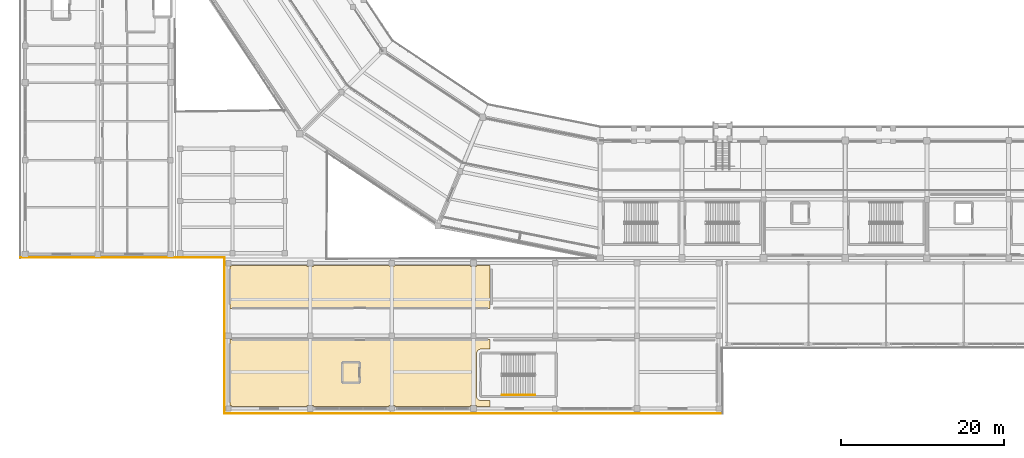
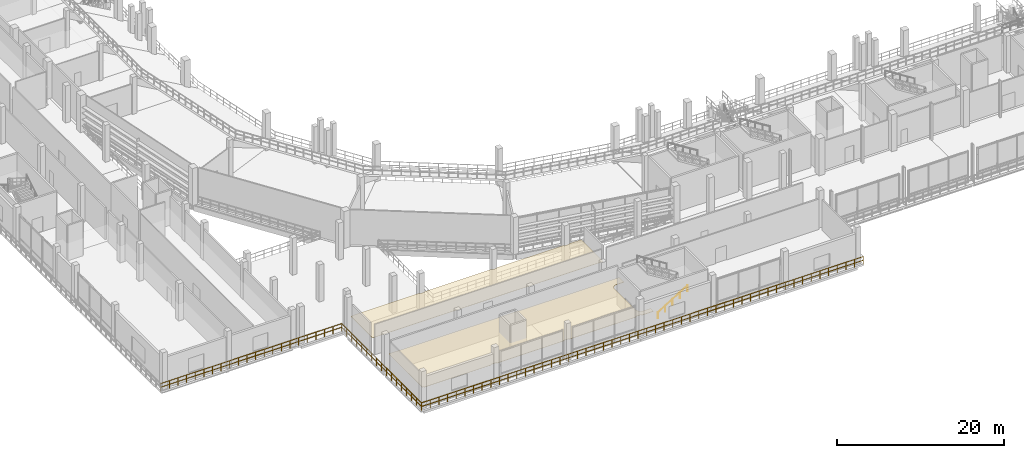
# One storey, part 94 of 127: 4 railings, 2 coverings.
"""IFC4 building model written with IfcOpenShell, lengths in metres."""

from ifc_helpers import new_model, si_unit, direction, frame, origin, origin_2d, place, context, subcontext, project, spatial, polyline, circle, outline, extrude, material, layer, layer_set, type_object, element, save


model = new_model("IFC4")

# Units and contexts
model_context = context("Model", 3, precision=1e-05, world=origin(), true_north=direction((0.0, 1.0)))
body_context = subcontext(model_context, "Body", "Model", "MODEL_VIEW")
ifc_project = project(units=[si_unit("LENGTHUNIT", "METRE"), si_unit("AREAUNIT", "SQUARE_METRE"), si_unit("VOLUMEUNIT", "CUBIC_METRE"), si_unit("PLANEANGLEUNIT", "RADIAN"), si_unit("MASSUNIT", "GRAM", prefix="KILO")], contexts=[model_context])

# Site, building, storey
site_placement = place(None, origin())
site = spatial("IfcSite", under=ifc_project, at=site_placement, CompositionType="ELEMENT")
building_placement = place(site_placement, origin())
building = spatial("IfcBuilding", under=site, at=building_placement, Name="Candeia Ridge Stadium", CompositionType="ELEMENT")
storey_placement = place(building_placement, frame((0.0, 0.0, 10.800048828125)))
storey = spatial("IfcBuildingStorey", under=building, at=storey_placement, Name="L02", CompositionType="ELEMENT", Elevation=10.800048828125)

# Coverings
ifc_material_1 = material(Name="Western Red Cedar Acoustic Slat", Category="wood")
ifc_layer_1 = layer(ifc_material_1, 0.044921875, Name="Western Red Cedar Acoustic Slat", Category="wood")
ifc_layer_set_1 = layer_set([ifc_layer_1], Name="Western Red Cedar Acoustic Slat")
covering_type = type_object("IfcCoveringType", Name="Slatted Cedar Acoustic Ceiling 45", PredefinedType="CEILING", material=ifc_layer_set_1)
covering_1_placement = place(storey_placement, frame((0.0, 0.0, 2.510009765625)))
element("IfcCovering", 1, at=covering_1_placement, inside=storey, type_object=covering_type, Name="Acoustic ceiling South Club Terrace Lounge", PredefinedType="CEILING", context=body_context, shape_type="SweptSolid", body=[
    extrude(outline(polyline([(57.529296875, 0.89404296875), (57.52880859375, 0.891357421875), (57.527587890625, 0.888427734375), (57.526611328125, 0.885986328125), (57.52490234375, 0.88330078125), (57.523193359375, 0.881103515625), (57.521240234375, 0.87890625), (57.51904296875, 0.876708984375), (57.5166015625, 0.875), (57.51416015625, 0.87353515625), (57.511474609375, 0.872314453125), (57.5087890625, 0.871337890625), (57.505859375, 0.87060546875), (57.5029296875, 0.8701171875), (57.5, 0.8701171875), (55.889892578125, 0.8701171875), (55.889892578125, 0.989990234375), (55.110107421875, 0.989990234375), (55.110107421875, 0.8701171875), (45.864990234375, 0.8701171875), (45.864990234375, 0.965087890625), (45.135009765625, 0.965087890625), (45.135009765625, 0.8701171875), (35.889892578125, 0.8701171875), (35.889892578125, 0.989990234375), (35.110107421875, 0.989990234375), (35.110107421875, 0.8701171875), (25.864990234375, 0.8701171875), (25.864990234375, 0.965087890625), (25.669921875, 0.965087890625), (25.669921875, 9.0), (25.670166015625, 9.0029296875), (25.670654296875, 9.005859375), (25.67138671875, 9.0087890625), (25.67236328125, 9.011474609375), (25.673583984375, 9.01416015625), (25.675048828125, 9.0166015625), (25.6767578125, 9.01904296875), (25.6787109375, 9.021240234375), (25.680908203125, 9.023193359375), (25.683349609375, 9.02490234375), (25.685791015625, 9.026611328125), (25.6884765625, 9.027587890625), (25.69140625, 9.02880859375), (25.694091796875, 9.029296875), (25.697021484375, 9.02978515625), (25.699951171875, 9.030029296875), (57.5, 9.030029296875), (57.5029296875, 9.02978515625), (57.505859375, 9.029296875), (57.5087890625, 9.02880859375), (57.511474609375, 9.027587890625), (57.51416015625, 9.026611328125), (57.5166015625, 9.02490234375), (57.51904296875, 9.023193359375), (57.521240234375, 9.021240234375), (57.523193359375, 9.01904296875), (57.52490234375, 9.0166015625), (57.526611328125, 9.01416015625), (57.527587890625, 9.011474609375), (57.52880859375, 9.0087890625), (57.529296875, 9.005859375), (57.52978515625, 9.0029296875), (57.530029296875, 9.0), (57.530029296875, 7.89990234375), (56.5, 7.89990234375), (56.48291015625, 7.899658203125), (56.453369140625, 7.898193359375), (56.419189453125, 7.894775390625), (56.39013671875, 7.890380859375), (56.3564453125, 7.8837890625), (56.327880859375, 7.876708984375), (56.294921875, 7.86669921875), (56.267333984375, 7.856689453125), (56.235595703125, 7.843505859375), (56.208984375, 7.8310546875), (56.1787109375, 7.814697265625), (56.1533203125, 7.799560546875), (56.124755859375, 7.780517578125), (56.101318359375, 7.762939453125), (56.07470703125, 7.7412109375), (56.052734375, 7.721435546875), (56.028564453125, 7.697265625), (56.0087890625, 7.67529296875), (55.987060546875, 7.648681640625), (55.969482421875, 7.625244140625), (55.950439453125, 7.5966796875), (55.935302734375, 7.5712890625), (55.9189453125, 7.541015625), (55.906494140625, 7.514404296875), (55.893310546875, 7.482666015625), (55.88330078125, 7.455078125), (55.873291015625, 7.422119140625), (55.8662109375, 7.3935546875), (55.859619140625, 7.35986328125), (55.855224609375, 7.330810546875), (55.851806640625, 7.296630859375), (55.850341796875, 7.26708984375), (55.85009765625, 7.25), (55.85009765625, 2.199951171875), (55.850341796875, 2.182861328125), (55.851806640625, 2.1533203125), (55.855224609375, 2.119140625), (55.859619140625, 2.090087890625), (55.8662109375, 2.056396484375), (55.873291015625, 2.02783203125), (55.88330078125, 1.9951171875), (55.893310546875, 1.96728515625), (55.906494140625, 1.935546875), (55.9189453125, 1.908935546875), (55.935302734375, 1.878662109375), (55.950439453125, 1.853515625), (55.969482421875, 1.82470703125), (55.987060546875, 1.80126953125), (56.0087890625, 1.774658203125), (56.028564453125, 1.752685546875), (56.052734375, 1.728515625), (56.07470703125, 1.708740234375), (56.101318359375, 1.68701171875), (56.124755859375, 1.66943359375), (56.1533203125, 1.650390625), (56.1787109375, 1.63525390625), (56.208984375, 1.618896484375), (56.235595703125, 1.6064453125), (56.267333984375, 1.59326171875), (56.294921875, 1.58349609375), (56.327880859375, 1.573486328125), (56.3564453125, 1.56640625), (56.39013671875, 1.5595703125), (56.419189453125, 1.55517578125), (56.453369140625, 1.552001953125), (56.48291015625, 1.55029296875), (56.5, 1.550048828125), (57.530029296875, 1.550048828125), (57.530029296875, 0.89990234375), (57.52978515625, 0.897216796875), (57.529296875, 0.89404296875)])), origin(), (0.0, 0.0, 1.0), 0.0400390625),
])
covering_2_placement = place(storey_placement, frame((0.0, 0.0, 2.510009765625)))
element("IfcCovering", 2, at=covering_2_placement, inside=storey, type_object=covering_type, Name="Acoustic ceiling South Club Terrace Lounge North Hall", PredefinedType="CEILING", context=body_context, shape_type="SweptSolid", body=[
    extrude(outline(polyline([(25.694091796875, 12.87060546875), (25.69140625, 12.871337890625), (25.6884765625, 12.872314453125), (25.685791015625, 12.87353515625), (25.683349609375, 12.875), (25.680908203125, 12.876708984375), (25.6787109375, 12.87890625), (25.6767578125, 12.881103515625), (25.675048828125, 12.88330078125), (25.673583984375, 12.885986328125), (25.67236328125, 12.888427734375), (25.67138671875, 12.891357421875), (25.670654296875, 12.89404296875), (25.670166015625, 12.897216796875), (25.669921875, 12.89990234375), (25.669921875, 18.034912109375), (25.864990234375, 18.034912109375), (25.864990234375, 18.1298828125), (35.110107421875, 18.1298828125), (35.110107421875, 18.010009765625), (35.889892578125, 18.010009765625), (35.889892578125, 18.1298828125), (45.135009765625, 18.1298828125), (45.135009765625, 18.034912109375), (45.864990234375, 18.034912109375), (45.864990234375, 18.1298828125), (55.110107421875, 18.1298828125), (55.110107421875, 18.010009765625), (55.889892578125, 18.010009765625), (55.889892578125, 18.1298828125), (57.5, 18.1298828125), (57.5029296875, 18.1298828125), (57.505859375, 18.12939453125), (57.5087890625, 18.128662109375), (57.511474609375, 18.127685546875), (57.51416015625, 18.12646484375), (57.5166015625, 18.125), (57.51904296875, 18.123291015625), (57.521240234375, 18.12109375), (57.523193359375, 18.118896484375), (57.52490234375, 18.11669921875), (57.526611328125, 18.114013671875), (57.527587890625, 18.111572265625), (57.52880859375, 18.108642578125), (57.529296875, 18.10595703125), (57.52978515625, 18.102783203125), (57.530029296875, 18.10009765625), (57.530029296875, 12.89990234375), (57.52978515625, 12.897216796875), (57.529296875, 12.89404296875), (57.52880859375, 12.891357421875), (57.527587890625, 12.888427734375), (57.526611328125, 12.885986328125), (57.52490234375, 12.88330078125), (57.523193359375, 12.881103515625), (57.521240234375, 12.87890625), (57.51904296875, 12.876708984375), (57.5166015625, 12.875), (57.51416015625, 12.87353515625), (57.511474609375, 12.872314453125), (57.5087890625, 12.871337890625), (57.505859375, 12.87060546875), (57.5029296875, 12.8701171875), (57.5, 12.8701171875), (25.699951171875, 12.8701171875), (25.697021484375, 12.8701171875), (25.694091796875, 12.87060546875)])), origin(), (0.0, 0.0, 1.0), 0.0400390625),
])

# Railings
ifc_material_2 = material(Name="Galvanized Powder-Coated Steel", Category="steel")
ifc_layer_2 = layer(ifc_material_2, 0.074951171875, Name="Galvanized Powder-Coated Steel", Category="steel")
ifc_layer_set_2 = layer_set([ifc_layer_2], Name="Galvanized Powder-Coated Steel")
railing_type_1 = type_object("IfcRailingType", Name="Spectator Bowl Front Guardrail 1120", PredefinedType="GUARDRAIL", material=ifc_layer_set_2)
railing_1_placement = place(storey_placement, frame((86.0, 0.0, 0.0)))
element("IfcRailing", 3, at=railing_1_placement, inside=storey, type_object=railing_type_1, Name="Deck edge safety guardrail GR-DE-L02-0070", PredefinedType="GUARDRAIL", context=body_context, shape_type="SweptSolid", body=[
    extrude(circle(Radius=0.02392578125, at=origin_2d()), frame((0.0, 0.0, 1.09619140625), z_axis=(-1.0, 0.0, 0.0), x_axis=(0.0, -1.0, 0.0)), (0.0, 0.0, 1.0), 61.0),
    extrude(circle(Radius=0.02392578125, at=origin_2d()), frame((0.0, 0.0, 0.56005859375), z_axis=(-1.0, 0.0, 0.0), x_axis=(0.0, -1.0, 0.0)), (0.0, 0.0, 1.0), 61.0),
    extrude(circle(Radius=0.02099609375, at=origin_2d()), origin(), (0.0, 0.0, 1.0), 1.072021484375),
    extrude(circle(Radius=0.02099609375, at=origin_2d()), frame((-1.196044921875, 0.0, 0.0)), (0.0, 0.0, 1.0), 1.072021484375),
    extrude(circle(Radius=0.02099609375, at=origin_2d()), frame((-2.39208984375, 0.0, 0.0)), (0.0, 0.0, 1.0), 1.072021484375),
    extrude(circle(Radius=0.02099609375, at=origin_2d()), frame((-3.588134765625, 0.0, 0.0)), (0.0, 0.0, 1.0), 1.072021484375),
    extrude(circle(Radius=0.02099609375, at=origin_2d()), frame((-4.784423828125, 0.0, 0.0)), (0.0, 0.0, 1.0), 1.072021484375),
    extrude(circle(Radius=0.02099609375, at=origin_2d()), frame((-5.98046875, 0.0, 0.0)), (0.0, 0.0, 1.0), 1.072021484375),
    extrude(circle(Radius=0.02099609375, at=origin_2d()), frame((-7.176513671875, 0.0, 0.0)), (0.0, 0.0, 1.0), 1.072021484375),
    extrude(circle(Radius=0.02099609375, at=origin_2d()), frame((-8.37255859375, 0.0, 0.0)), (0.0, 0.0, 1.0), 1.072021484375),
    extrude(circle(Radius=0.02099609375, at=origin_2d()), frame((-9.568603515625, 0.0, 0.0)), (0.0, 0.0, 1.0), 1.072021484375),
    extrude(circle(Radius=0.02099609375, at=origin_2d()), frame((-10.7646484375, 0.0, 0.0)), (0.0, 0.0, 1.0), 1.072021484375),
    extrude(circle(Radius=0.02099609375, at=origin_2d()), frame((-11.960693359375, 0.0, 0.0)), (0.0, 0.0, 1.0), 1.072021484375),
    extrude(circle(Radius=0.02099609375, at=origin_2d()), frame((-13.156982421875, 0.0, 0.0)), (0.0, 0.0, 1.0), 1.072021484375),
    extrude(circle(Radius=0.02099609375, at=origin_2d()), frame((-14.35302734375, 0.0, 0.0)), (0.0, 0.0, 1.0), 1.072021484375),
    extrude(circle(Radius=0.02099609375, at=origin_2d()), frame((-15.549072265625, 0.0, 0.0)), (0.0, 0.0, 1.0), 1.072021484375),
    extrude(circle(Radius=0.02099609375, at=origin_2d()), frame((-16.7451171875, 0.0, 0.0)), (0.0, 0.0, 1.0), 1.072021484375),
    extrude(circle(Radius=0.02099609375, at=origin_2d()), frame((-17.941162109375, 0.0, 0.0)), (0.0, 0.0, 1.0), 1.072021484375),
    extrude(circle(Radius=0.02099609375, at=origin_2d()), frame((-19.13720703125, 0.0, 0.0)), (0.0, 0.0, 1.0), 1.072021484375),
    extrude(circle(Radius=0.02099609375, at=origin_2d()), frame((-20.333251953125, 0.0, 0.0)), (0.0, 0.0, 1.0), 1.072021484375),
    extrude(circle(Radius=0.02099609375, at=origin_2d()), frame((-21.529296875, 0.0, 0.0)), (0.0, 0.0, 1.0), 1.072021484375),
    extrude(circle(Radius=0.02099609375, at=origin_2d()), frame((-22.7255859375, 0.0, 0.0)), (0.0, 0.0, 1.0), 1.072021484375),
    extrude(circle(Radius=0.02099609375, at=origin_2d()), frame((-23.921630859375, 0.0, 0.0)), (0.0, 0.0, 1.0), 1.072021484375),
    extrude(circle(Radius=0.02099609375, at=origin_2d()), frame((-25.11767578125, 0.0, 0.0)), (0.0, 0.0, 1.0), 1.072021484375),
    extrude(circle(Radius=0.02099609375, at=origin_2d()), frame((-26.313720703125, 0.0, 0.0)), (0.0, 0.0, 1.0), 1.072021484375),
    extrude(circle(Radius=0.02099609375, at=origin_2d()), frame((-27.509765625, 0.0, 0.0)), (0.0, 0.0, 1.0), 1.072021484375),
    extrude(circle(Radius=0.02099609375, at=origin_2d()), frame((-28.705810546875, 0.0, 0.0)), (0.0, 0.0, 1.0), 1.072021484375),
    extrude(circle(Radius=0.02099609375, at=origin_2d()), frame((-29.90185546875, 0.0, 0.0)), (0.0, 0.0, 1.0), 1.072021484375),
    extrude(circle(Radius=0.02099609375, at=origin_2d()), frame((-31.09814453125, 0.0, 0.0)), (0.0, 0.0, 1.0), 1.072021484375),
    extrude(circle(Radius=0.02099609375, at=origin_2d()), frame((-32.294189453125, 0.0, 0.0)), (0.0, 0.0, 1.0), 1.072021484375),
    extrude(circle(Radius=0.02099609375, at=origin_2d()), frame((-33.490234375, 0.0, 0.0)), (0.0, 0.0, 1.0), 1.072021484375),
    extrude(circle(Radius=0.02099609375, at=origin_2d()), frame((-34.686279296875, 0.0, 0.0)), (0.0, 0.0, 1.0), 1.072021484375),
    extrude(circle(Radius=0.02099609375, at=origin_2d()), frame((-35.88232421875, 0.0, 0.0)), (0.0, 0.0, 1.0), 1.072021484375),
    extrude(circle(Radius=0.02099609375, at=origin_2d()), frame((-37.078369140625, 0.0, 0.0)), (0.0, 0.0, 1.0), 1.072021484375),
    extrude(circle(Radius=0.02099609375, at=origin_2d()), frame((-38.2744140625, 0.0, 0.0)), (0.0, 0.0, 1.0), 1.072021484375),
    extrude(circle(Radius=0.02099609375, at=origin_2d()), frame((-39.470703125, 0.0, 0.0)), (0.0, 0.0, 1.0), 1.072021484375),
    extrude(circle(Radius=0.02099609375, at=origin_2d()), frame((-40.666748046875, 0.0, 0.0)), (0.0, 0.0, 1.0), 1.072021484375),
    extrude(circle(Radius=0.02099609375, at=origin_2d()), frame((-41.86279296875, 0.0, 0.0)), (0.0, 0.0, 1.0), 1.072021484375),
    extrude(circle(Radius=0.02099609375, at=origin_2d()), frame((-43.058837890625, 0.0, 0.0)), (0.0, 0.0, 1.0), 1.072021484375),
    extrude(circle(Radius=0.02099609375, at=origin_2d()), frame((-44.2548828125, 0.0, 0.0)), (0.0, 0.0, 1.0), 1.072021484375),
    extrude(circle(Radius=0.02099609375, at=origin_2d()), frame((-45.450927734375, 0.0, 0.0)), (0.0, 0.0, 1.0), 1.072021484375),
    extrude(circle(Radius=0.02099609375, at=origin_2d()), frame((-46.64697265625, 0.0, 0.0)), (0.0, 0.0, 1.0), 1.072021484375),
    extrude(circle(Radius=0.02099609375, at=origin_2d()), frame((-47.843017578125, 0.0, 0.0)), (0.0, 0.0, 1.0), 1.072021484375),
    extrude(circle(Radius=0.02099609375, at=origin_2d()), frame((-49.039306640625, 0.0, 0.0)), (0.0, 0.0, 1.0), 1.072021484375),
    extrude(circle(Radius=0.02099609375, at=origin_2d()), frame((-50.2353515625, 0.0, 0.0)), (0.0, 0.0, 1.0), 1.072021484375),
    extrude(circle(Radius=0.02099609375, at=origin_2d()), frame((-51.431396484375, 0.0, 0.0)), (0.0, 0.0, 1.0), 1.072021484375),
    extrude(circle(Radius=0.02099609375, at=origin_2d()), frame((-52.62744140625, 0.0, 0.0)), (0.0, 0.0, 1.0), 1.072021484375),
    extrude(circle(Radius=0.02099609375, at=origin_2d()), frame((-53.823486328125, 0.0, 0.0)), (0.0, 0.0, 1.0), 1.072021484375),
    extrude(circle(Radius=0.02099609375, at=origin_2d()), frame((-55.01953125, 0.0, 0.0)), (0.0, 0.0, 1.0), 1.072021484375),
    extrude(circle(Radius=0.02099609375, at=origin_2d()), frame((-56.215576171875, 0.0, 0.0)), (0.0, 0.0, 1.0), 1.072021484375),
    extrude(circle(Radius=0.02099609375, at=origin_2d()), frame((-57.411865234375, 0.0, 0.0)), (0.0, 0.0, 1.0), 1.072021484375),
    extrude(circle(Radius=0.02099609375, at=origin_2d()), frame((-58.60791015625, 0.0, 0.0)), (0.0, 0.0, 1.0), 1.072021484375),
    extrude(circle(Radius=0.02099609375, at=origin_2d()), frame((-59.803955078125, 0.0, 0.0)), (0.0, 0.0, 1.0), 1.072021484375),
    extrude(circle(Radius=0.02099609375, at=origin_2d()), frame((-61.0, 0.0, 0.0)), (0.0, 0.0, 1.0), 1.072021484375),
])
railing_2_placement = place(storey_placement, frame((25.0, 0.0, 0.0)))
element("IfcRailing", 4, at=railing_2_placement, inside=storey, type_object=railing_type_1, Name="Deck edge safety guardrail GR-DE-L02-0071", PredefinedType="GUARDRAIL", context=body_context, shape_type="SweptSolid", body=[
    extrude(circle(Radius=0.02392578125, at=origin_2d()), frame((0.0, 0.0, 1.09619140625), z_axis=(0.0, 1.0, 0.0), x_axis=(-1.0, 0.0, 0.0)), (0.0, 0.0, 1.0), 19.080078125),
    extrude(circle(Radius=0.02392578125, at=origin_2d()), frame((0.0, 0.0, 0.56005859375), z_axis=(0.0, 1.0, 0.0), x_axis=(-1.0, 0.0, 0.0)), (0.0, 0.0, 1.0), 19.080078125),
    extrude(circle(Radius=0.02099609375, at=origin_2d()), origin(), (0.0, 0.0, 1.0), 1.072021484375),
    extrude(circle(Radius=0.02099609375, at=origin_2d()), frame((0.0, 1.1923828125, 0.0)), (0.0, 0.0, 1.0), 1.072021484375),
    extrude(circle(Radius=0.02099609375, at=origin_2d()), frame((0.0, 2.385009765625, 0.0)), (0.0, 0.0, 1.0), 1.072021484375),
    extrude(circle(Radius=0.02099609375, at=origin_2d()), frame((0.0, 3.57763671875, 0.0)), (0.0, 0.0, 1.0), 1.072021484375),
    extrude(circle(Radius=0.02099609375, at=origin_2d()), frame((0.0, 4.77001953125, 0.0)), (0.0, 0.0, 1.0), 1.072021484375),
    extrude(circle(Radius=0.02099609375, at=origin_2d()), frame((0.0, 5.96240234375, 0.0)), (0.0, 0.0, 1.0), 1.072021484375),
    extrude(circle(Radius=0.02099609375, at=origin_2d()), frame((0.0, 7.155029296875, 0.0)), (0.0, 0.0, 1.0), 1.072021484375),
    extrude(circle(Radius=0.02099609375, at=origin_2d()), frame((0.0, 8.34765625, 0.0)), (0.0, 0.0, 1.0), 1.072021484375),
    extrude(circle(Radius=0.02099609375, at=origin_2d()), frame((0.0, 9.5400390625, 0.0)), (0.0, 0.0, 1.0), 1.072021484375),
    extrude(circle(Radius=0.02099609375, at=origin_2d()), frame((0.0, 10.732421875, 0.0)), (0.0, 0.0, 1.0), 1.072021484375),
    extrude(circle(Radius=0.02099609375, at=origin_2d()), frame((0.0, 11.925048828125, 0.0)), (0.0, 0.0, 1.0), 1.072021484375),
    extrude(circle(Radius=0.02099609375, at=origin_2d()), frame((0.0, 13.11767578125, 0.0)), (0.0, 0.0, 1.0), 1.072021484375),
    extrude(circle(Radius=0.02099609375, at=origin_2d()), frame((0.0, 14.31005859375, 0.0)), (0.0, 0.0, 1.0), 1.072021484375),
    extrude(circle(Radius=0.02099609375, at=origin_2d()), frame((0.0, 15.50244140625, 0.0)), (0.0, 0.0, 1.0), 1.072021484375),
    extrude(circle(Radius=0.02099609375, at=origin_2d()), frame((0.0, 16.695068359375, 0.0)), (0.0, 0.0, 1.0), 1.072021484375),
    extrude(circle(Radius=0.02099609375, at=origin_2d()), frame((0.0, 17.8876953125, 0.0)), (0.0, 0.0, 1.0), 1.072021484375),
    extrude(circle(Radius=0.02099609375, at=origin_2d()), frame((0.0, 19.080078125, 0.0)), (0.0, 0.0, 1.0), 1.072021484375),
])
railing_3_placement = place(storey_placement, frame((25.0, 19.080078125, 0.0)))
element("IfcRailing", 5, at=railing_3_placement, inside=storey, type_object=railing_type_1, Name="Deck edge safety guardrail GR-DE-L02-0072", PredefinedType="GUARDRAIL", context=body_context, shape_type="SweptSolid", body=[
    extrude(circle(Radius=0.02392578125, at=origin_2d()), frame((0.0, 0.0, 1.09619140625), z_axis=(-1.0, 0.0, 0.0), x_axis=(0.0, -1.0, 0.0)), (0.0, 0.0, 1.0), 25.0),
    extrude(circle(Radius=0.02392578125, at=origin_2d()), frame((0.0, 0.0, 0.56005859375), z_axis=(-1.0, 0.0, 0.0), x_axis=(0.0, -1.0, 0.0)), (0.0, 0.0, 1.0), 25.0),
    extrude(circle(Radius=0.02099609375, at=origin_2d()), origin(), (0.0, 0.0, 1.0), 1.072021484375),
    extrude(circle(Radius=0.02099609375, at=origin_2d()), frame((-1.1904296875, 0.0, 0.0)), (0.0, 0.0, 1.0), 1.072021484375),
    extrude(circle(Radius=0.02099609375, at=origin_2d()), frame((-2.380859375, 0.0, 0.0)), (0.0, 0.0, 1.0), 1.072021484375),
    extrude(circle(Radius=0.02099609375, at=origin_2d()), frame((-3.571533203125, 0.0, 0.0)), (0.0, 0.0, 1.0), 1.072021484375),
    extrude(circle(Radius=0.02099609375, at=origin_2d()), frame((-4.761962890625, 0.0, 0.0)), (0.0, 0.0, 1.0), 1.072021484375),
    extrude(circle(Radius=0.02099609375, at=origin_2d()), frame((-5.952392578125, 0.0, 0.0)), (0.0, 0.0, 1.0), 1.072021484375),
    extrude(circle(Radius=0.02099609375, at=origin_2d()), frame((-7.142822265625, 0.0, 0.0)), (0.0, 0.0, 1.0), 1.072021484375),
    extrude(circle(Radius=0.02099609375, at=origin_2d()), frame((-8.333251953125, 0.0, 0.0)), (0.0, 0.0, 1.0), 1.072021484375),
    extrude(circle(Radius=0.02099609375, at=origin_2d()), frame((-9.52392578125, 0.0, 0.0)), (0.0, 0.0, 1.0), 1.072021484375),
    extrude(circle(Radius=0.02099609375, at=origin_2d()), frame((-10.71435546875, 0.0, 0.0)), (0.0, 0.0, 1.0), 1.072021484375),
    extrude(circle(Radius=0.02099609375, at=origin_2d()), frame((-11.90478515625, 0.0, 0.0)), (0.0, 0.0, 1.0), 1.072021484375),
    extrude(circle(Radius=0.02099609375, at=origin_2d()), frame((-13.09521484375, 0.0, 0.0)), (0.0, 0.0, 1.0), 1.072021484375),
    extrude(circle(Radius=0.02099609375, at=origin_2d()), frame((-14.28564453125, 0.0, 0.0)), (0.0, 0.0, 1.0), 1.072021484375),
    extrude(circle(Radius=0.02099609375, at=origin_2d()), frame((-15.47607421875, 0.0, 0.0)), (0.0, 0.0, 1.0), 1.072021484375),
    extrude(circle(Radius=0.02099609375, at=origin_2d()), frame((-16.666748046875, 0.0, 0.0)), (0.0, 0.0, 1.0), 1.072021484375),
    extrude(circle(Radius=0.02099609375, at=origin_2d()), frame((-17.857177734375, 0.0, 0.0)), (0.0, 0.0, 1.0), 1.072021484375),
    extrude(circle(Radius=0.02099609375, at=origin_2d()), frame((-19.047607421875, 0.0, 0.0)), (0.0, 0.0, 1.0), 1.072021484375),
    extrude(circle(Radius=0.02099609375, at=origin_2d()), frame((-20.238037109375, 0.0, 0.0)), (0.0, 0.0, 1.0), 1.072021484375),
    extrude(circle(Radius=0.02099609375, at=origin_2d()), frame((-21.428466796875, 0.0, 0.0)), (0.0, 0.0, 1.0), 1.072021484375),
    extrude(circle(Radius=0.02099609375, at=origin_2d()), frame((-22.619140625, 0.0, 0.0)), (0.0, 0.0, 1.0), 1.072021484375),
    extrude(circle(Radius=0.02099609375, at=origin_2d()), frame((-23.8095703125, 0.0, 0.0)), (0.0, 0.0, 1.0), 1.072021484375),
    extrude(circle(Radius=0.02099609375, at=origin_2d()), frame((-25.0, 0.0, 0.0)), (0.0, 0.0, 1.0), 1.072021484375),
])
ifc_material_3 = material(Name="Brushed Stainless Steel", Category="steel")
ifc_layer_3 = layer(ifc_material_3, 0.048095703125, Name="Brushed Stainless Steel", Category="steel")
ifc_layer_set_3 = layer_set([ifc_layer_3], Name="Brushed Stainless Steel")
railing_type_2 = type_object("IfcRailingType", Name="Stair Wall & Flight Handrail 900", PredefinedType="HANDRAIL", material=ifc_layer_set_3)
railing_4_placement = place(storey_placement, frame((58.949951171875, 2.25, 0.179931640625)))
element("IfcRailing", 6, at=railing_4_placement, inside=storey, type_object=railing_type_2, Name="L02 ST13 stair handrail 1", PredefinedType="HANDRAIL", context=body_context, shape_type="SweptSolid", body=[
    extrude(circle(Radius=0.02392578125, at=origin_2d()), frame((0.0, 0.0, 0.8759765625), z_axis=(0.849641744969, 0.0, 0.527360318194), x_axis=(0.0, 1.0, 0.0)), (0.0, 0.0, 1.0), 4.778564453125),
    extrude(circle(Radius=0.02099609375, at=origin_2d()), origin(), (0.0, 0.0, 1.0), 0.851806640625),
    extrude(circle(Radius=0.02099609375, at=origin_2d()), frame((1.01513671875, 0.0, 0.6298828125)), (0.0, 0.0, 1.0), 0.851806640625),
    extrude(circle(Radius=0.02099609375, at=origin_2d()), frame((2.030029296875, 0.0, 1.260009765625)), (0.0, 0.0, 1.0), 0.851806640625),
    extrude(circle(Radius=0.02099609375, at=origin_2d()), frame((3.044921875, 0.0, 1.89013671875)), (0.0, 0.0, 1.0), 0.851806640625),
    extrude(circle(Radius=0.02099609375, at=origin_2d()), frame((4.06005859375, 0.0, 2.52001953125)), (0.0, 0.0, 1.0), 0.851806640625),
])

save(model, "model.ifc")
